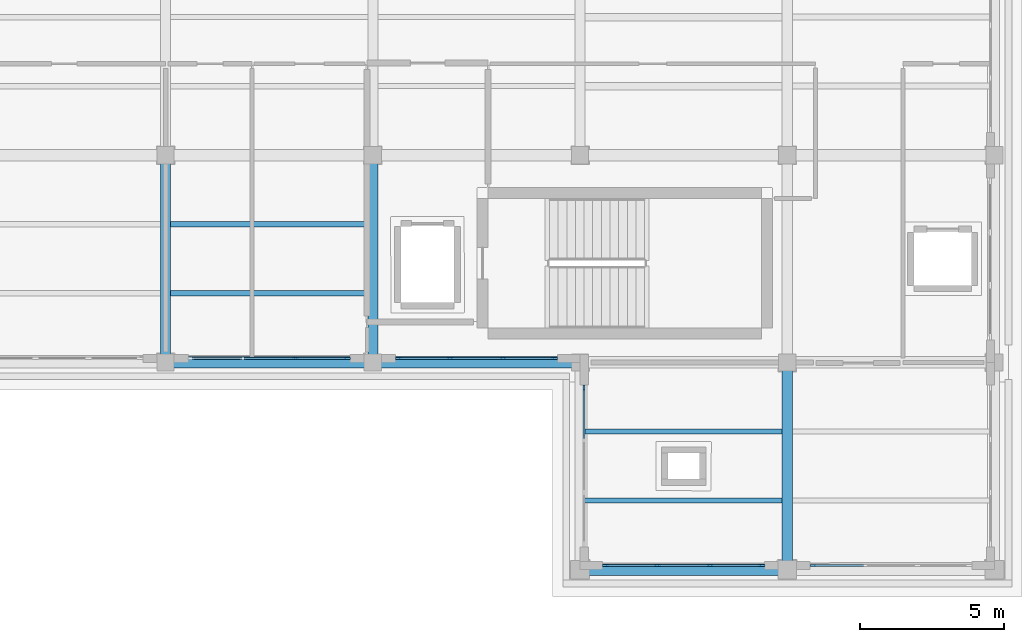
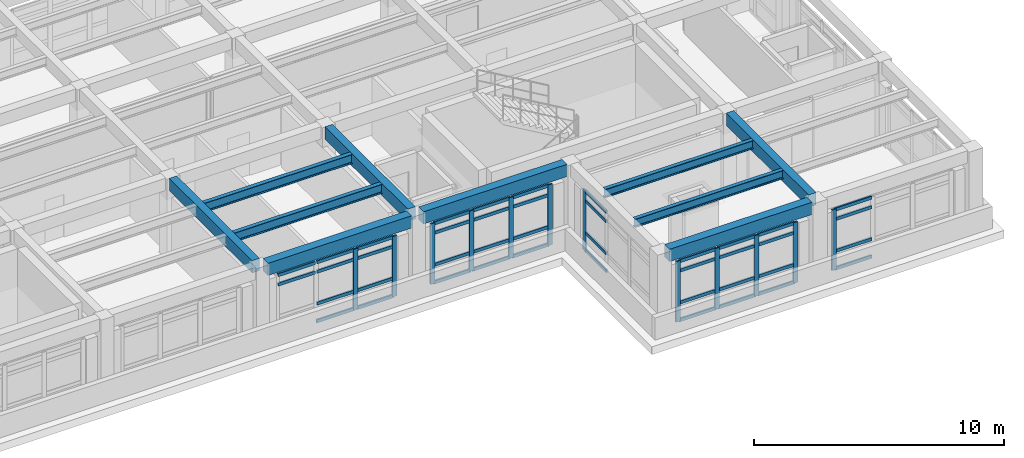
# One storey, part 7 of 19: 54 members, 10 beams, 5 elements without a shape of their own.
"""IFC4 building model written with IfcOpenShell, lengths in metres."""

from ifc_helpers import new_model, si_unit, direction, frame, origin, origin_2d, place, context, subcontext, project, spatial, rectangle, i_section, extrude, material, layer, layer_set, material_profile, profile_set, type_object, element, aggregate, save


model = new_model("IFC4")

# Units and contexts
model_context = context("Model", 3, precision=1e-05, world=origin(), true_north=direction((0.0, 1.0)))
body_context = subcontext(model_context, "Body", "Model", "MODEL_VIEW")
ifc_project = project(units=[si_unit("LENGTHUNIT", "METRE"), si_unit("AREAUNIT", "SQUARE_METRE"), si_unit("VOLUMEUNIT", "CUBIC_METRE"), si_unit("PLANEANGLEUNIT", "RADIAN"), si_unit("MASSUNIT", "GRAM", prefix="KILO")], contexts=[model_context])

# Site, building, storey
site_placement = place(None, origin())
site = spatial("IfcSite", under=ifc_project, at=site_placement, CompositionType="ELEMENT")
building_placement = place(site_placement, origin())
building = spatial("IfcBuilding", under=site, at=building_placement, Name="Solenvale Faculty of Natural Sciences", CompositionType="ELEMENT")
storey_placement = place(building_placement, frame((0.0, 0.0, 27.0)))
storey = spatial("IfcBuildingStorey", under=building, at=storey_placement, Name="L06", CompositionType="ELEMENT", Elevation=27.0)

# Beams
ifc_material_1 = material(Name="Concrete 40 MPa", Category="concrete")
ifc_material_profile_1 = material_profile(ifc_material_1, rectangle(XDim=0.35009765625, YDim=0.60009765625, at=origin_2d()), Name="RC-BM-350x600")
ifc_profile_set_1 = profile_set([ifc_material_profile_1], Name="Concrete 40 MPa")
beam_type_1 = type_object("IfcBeamType", Name="BM-RC-350x600", PredefinedType="BEAM", material=ifc_profile_set_1)
for number, where, z_axis, x_axis, name in (
    (1, (122.39990234375, 93.8798828125, 3.6201171875), (0.0, 1.0, 0.0), (-1.0, 0.0, 0.0), "L06 Y-Girder X122.4 (93.6..100.8)"),
    (2, (129.60009765625, 93.8798828125, 3.6201171875), (0.0, 1.0, 0.0), (-1.0, 0.0, 0.0), "L06 Y-Girder X129.6 (93.6..100.8)"),
):
    element("IfcBeam", number, at=place(storey_placement, frame(where, z_axis=z_axis, x_axis=x_axis)), inside=storey, type_object=beam_type_1, Name=name, PredefinedType="BEAM", context=body_context, shape_type="SweptSolid", body=[
        extrude(rectangle(XDim=0.35009765625, YDim=0.60009765625, at=origin_2d()), origin(), (0.0, 0.0, 1.0), 6.64013671875),
    ])
beam_1_placement = place(storey_placement, frame((144.0, 86.705078125, 3.6201171875), z_axis=(0.0, 1.0, 0.0), x_axis=(-1.0, 0.0, 0.0)))
element("IfcBeam", 3, at=beam_1_placement, inside=storey, type_object=beam_type_1, Name="L06 Y-Girder X144.0 (86.4..93.6)", PredefinedType="BEAM", context=body_context, shape_type="SweptSolid", body=[
    extrude(rectangle(XDim=0.35009765625, YDim=0.60009765625, at=origin_2d()), origin(), (0.0, 0.0, 1.0), 6.614990234375),
])
ifc_material_profile_2 = material_profile(ifc_material_1, rectangle(XDim=0.39990234375, YDim=0.60009765625, at=origin_2d()), Name="RC-BM-400x600")
ifc_profile_set_2 = profile_set([ifc_material_profile_2], Name="Concrete 40 MPa")
beam_type_2 = type_object("IfcBeamType", Name="BM-RC-400x600", PredefinedType="BEAM", material=ifc_profile_set_2)
beam_2_placement = place(storey_placement, frame((137.10498046875, 86.39990234375, 3.6201171875), z_axis=(1.0, 0.0, 0.0), x_axis=(0.0, 1.0, 0.0)))
element("IfcBeam", 4, at=beam_2_placement, inside=storey, type_object=beam_type_2, Name="L06 X-Girder Y86.4 (136.8..144.0)", PredefinedType="BEAM", context=body_context, shape_type="SweptSolid", body=[
    extrude(rectangle(XDim=0.39990234375, YDim=0.60009765625, at=origin_2d()), origin(), (0.0, 0.0, 1.0), 6.590087890625),
])
for number, where, z_axis, x_axis, name in (
    (5, (122.679931640625, 93.60009765625, 3.6201171875), (1.0, 0.0, 0.0), (0.0, 1.0, 0.0), "L06 X-Girder Y93.6 (122.4..129.6)"),
    (6, (129.8798828125, 93.60009765625, 3.6201171875), (1.0, 0.0, 0.0), (0.0, 1.0, 0.0), "L06 X-Girder Y93.6 (129.6..136.8)"),
):
    element("IfcBeam", number, at=place(storey_placement, frame(where, z_axis=z_axis, x_axis=x_axis)), inside=storey, type_object=beam_type_2, Name=name, PredefinedType="BEAM", context=body_context, shape_type="SweptSolid", body=[
        extrude(rectangle(XDim=0.39990234375, YDim=0.60009765625, at=origin_2d()), origin(), (0.0, 0.0, 1.0), 6.64013671875),
    ])
ifc_material_2 = material(Name="Steel S355", Category="steel")
ifc_material_profile_3 = material_profile(ifc_material_2, i_section(OverallWidth=0.180908203125, OverallDepth=0.4169921875, WebThickness=0.010986328125, FlangeThickness=0.018310546875, FilletRadius=0.01611328125, at=origin_2d()), Name="W410x85")
ifc_profile_set_3 = profile_set([ifc_material_profile_3], Name="Steel S355")
beam_type_3 = type_object("IfcBeamType", Name="BM-STL-W410x85", PredefinedType="JOIST", material=ifc_profile_set_3)
for number, where, z_axis, x_axis, name in (
    (7, (136.955078125, 88.800048828125, 3.71142578125), (1.0, 0.0, 0.0), (0.0, 1.0, 0.0), "L06 Composite Floor Joist (20,13).1"),
    (8, (136.955078125, 91.199951171875, 3.71142578125), (1.0, 0.0, 0.0), (0.0, 1.0, 0.0), "L06 Composite Floor Joist (20,13).2"),
):
    element("IfcBeam", number, at=place(storey_placement, frame(where, z_axis=z_axis, x_axis=x_axis)), inside=storey, type_object=beam_type_3, Name=name, PredefinedType="JOIST", context=body_context, shape_type="SweptSolid", body=[
        extrude(i_section(OverallWidth=0.180908203125, OverallDepth=0.4169921875, WebThickness=0.010986328125, FlangeThickness=0.018310546875, FilletRadius=0.01611328125, at=origin_2d()), origin(), (0.0, 0.0, 1.0), 6.889892578125),
    ])
ifc_material_profile_4 = material_profile(ifc_material_2, i_section(OverallWidth=0.19091796875, OverallDepth=0.4599609375, WebThickness=0.010009765625, FlangeThickness=0.01611328125, FilletRadius=0.01806640625, at=origin_2d()), Name="W460x82")
ifc_profile_set_4 = profile_set([ifc_material_profile_4], Name="Steel S355")
beam_type_4 = type_object("IfcBeamType", Name="BM-STL-W460x82", PredefinedType="JOIST", material=ifc_profile_set_4)
for number, where, z_axis, x_axis, name in (
    (9, (122.554931640625, 96.0, 3.68994140625), (1.0, 0.0, 0.0), (0.0, 1.0, 0.0), "L06 Composite Floor Joist (18,14).1"),
    (10, (122.554931640625, 98.39990234375, 3.68994140625), (1.0, 0.0, 0.0), (0.0, 1.0, 0.0), "L06 Composite Floor Joist (18,14).2"),
):
    element("IfcBeam", number, at=place(storey_placement, frame(where, z_axis=z_axis, x_axis=x_axis)), inside=storey, type_object=beam_type_4, Name=name, PredefinedType="JOIST", context=body_context, shape_type="SweptSolid", body=[
        extrude(i_section(OverallWidth=0.19091796875, OverallDepth=0.4599609375, WebThickness=0.010009765625, FlangeThickness=0.01611328125, FilletRadius=0.01806640625, at=origin_2d()), origin(), (0.0, 0.0, 1.0), 6.89013671875),
    ])

# Curtain wall, members
ifc_material_3 = material(Name="Anodised bronze aluminium", Category="aluminium")
ifc_layer = layer(ifc_material_3, 0.179931640625)
ifc_layer_set = layer_set([ifc_layer], Name="Anodised bronze aluminium")
curtain_wall_type = type_object("IfcCurtainWallType", Name="CW-TWR-MOD", PredefinedType="USERDEFINED", material=ifc_layer_set)
curtain_wall_1_placement = place(storey_placement, origin())
curtain_wall_1 = element("IfcCurtainWall", 11, at=curtain_wall_1_placement, inside=storey, type_object=curtain_wall_type, Name="L06 Curtain Wall CW-L06-P1-E4-B7", ObjectType="UNITISED CURTAIN WALL", PredefinedType="USERDEFINED")
ifc_material_profile_5 = material_profile(ifc_material_3, rectangle(XDim=0.074951171875, YDim=0.2099609375, at=origin_2d()), Name="ALU-MUL-75x210")
ifc_profile_set_5 = profile_set([ifc_material_profile_5], Name="Anodised bronze aluminium")
member_type_1 = type_object("IfcMemberType", Name="CWM-ALU-75x210", PredefinedType="MULLION", material=ifc_profile_set_5)
member_1_placement = place(storey_placement, frame((126.916748046875, 93.742431640625, 0.0), z_axis=(0.0, 0.0, 1.0), x_axis=(0.0, 1.0, 0.0)))
member_1 = element("IfcMember", 12, at=member_1_placement, type_object=member_type_1, Name="CW-04 mullion 3", PredefinedType="MULLION", context=body_context, shape_type="SweptSolid", body=[
    extrude(rectangle(XDim=0.074951171875, YDim=0.2099609375, at=origin_2d()), origin(), (0.0, 0.0, 1.0), 2.9599609375),
])
member_2_placement = place(storey_placement, frame((128.71240234375, 93.742431640625, 0.0), z_axis=(0.0, 0.0, 1.0), x_axis=(0.0, 1.0, 0.0)))
member_2 = element("IfcMember", 13, at=member_2_placement, type_object=member_type_1, Name="CW-04 mullion 4", PredefinedType="MULLION", context=body_context, shape_type="SweptSolid", body=[
    extrude(rectangle(XDim=0.074951171875, YDim=0.2099609375, at=origin_2d()), origin(), (0.0, 0.0, 1.0), 2.9599609375),
])

curtain_wall_2_placement = place(storey_placement, origin())
curtain_wall_2 = element("IfcCurtainWall", 14, at=curtain_wall_2_placement, inside=storey, type_object=curtain_wall_type, Name="L06 Curtain Wall CW-L06-P1-E4-B8", ObjectType="UNITISED CURTAIN WALL", PredefinedType="USERDEFINED")
member_3_placement = place(storey_placement, frame((130.487548828125, 93.742431640625, 0.0), z_axis=(0.0, 0.0, 1.0), x_axis=(0.0, 1.0, 0.0)))
member_3 = element("IfcMember", 15, at=member_3_placement, type_object=member_type_1, Name="CW-04 mullion 1", PredefinedType="MULLION", context=body_context, shape_type="SweptSolid", body=[
    extrude(rectangle(XDim=0.074951171875, YDim=0.2099609375, at=origin_2d()), origin(), (0.0, 0.0, 1.0), 2.9599609375),
])
member_4_placement = place(storey_placement, frame((132.283447265625, 93.742431640625, 0.0), z_axis=(0.0, 0.0, 1.0), x_axis=(0.0, 1.0, 0.0)))
member_4 = element("IfcMember", 16, at=member_4_placement, type_object=member_type_1, Name="CW-04 mullion 2", PredefinedType="MULLION", context=body_context, shape_type="SweptSolid", body=[
    extrude(rectangle(XDim=0.074951171875, YDim=0.2099609375, at=origin_2d()), origin(), (0.0, 0.0, 1.0), 2.9599609375),
])
member_5_placement = place(storey_placement, frame((134.11669921875, 93.742431640625, 0.0), z_axis=(0.0, 0.0, 1.0), x_axis=(0.0, 1.0, 0.0)))
member_5 = element("IfcMember", 17, at=member_5_placement, type_object=member_type_1, Name="CW-04 mullion 3", PredefinedType="MULLION", context=body_context, shape_type="SweptSolid", body=[
    extrude(rectangle(XDim=0.074951171875, YDim=0.2099609375, at=origin_2d()), origin(), (0.0, 0.0, 1.0), 2.9599609375),
])
member_6_placement = place(storey_placement, frame((135.91259765625, 93.742431640625, 0.0), z_axis=(0.0, 0.0, 1.0), x_axis=(0.0, 1.0, 0.0)))
member_6 = element("IfcMember", 18, at=member_6_placement, type_object=member_type_1, Name="CW-04 mullion 4", PredefinedType="MULLION", context=body_context, shape_type="SweptSolid", body=[
    extrude(rectangle(XDim=0.074951171875, YDim=0.2099609375, at=origin_2d()), origin(), (0.0, 0.0, 1.0), 2.9599609375),
])

# Curtain wall, member
curtain_wall_3_placement = place(storey_placement, origin())
curtain_wall_3 = element("IfcCurtainWall", 19, at=curtain_wall_3_placement, inside=storey, type_object=curtain_wall_type, Name="L06 Curtain Wall CW-L06-P1-E5-B1", ObjectType="UNITISED CURTAIN WALL", PredefinedType="USERDEFINED")
member_7_placement = place(storey_placement, frame((136.9423828125, 92.71240234375, 0.0), z_axis=(0.0, 0.0, 1.0), x_axis=(1.0, 0.0, 0.0)))
member_7 = element("IfcMember", 20, at=member_7_placement, type_object=member_type_1, Name="CW-04 mullion 1", PredefinedType="MULLION", context=body_context, shape_type="SweptSolid", body=[
    extrude(rectangle(XDim=0.074951171875, YDim=0.2099609375, at=origin_2d()), origin(), (0.0, 0.0, 1.0), 2.9599609375),
])

# Curtain wall, members
curtain_wall_4_placement = place(storey_placement, origin())
curtain_wall_4 = element("IfcCurtainWall", 21, at=curtain_wall_4_placement, inside=storey, type_object=curtain_wall_type, Name="L06 Curtain Wall CW-L06-P1-E6-B1", ObjectType="UNITISED CURTAIN WALL", PredefinedType="USERDEFINED")
member_8_placement = place(storey_placement, frame((137.6875, 86.54248046875, 0.0), z_axis=(0.0, 0.0, 1.0), x_axis=(0.0, 1.0, 0.0)))
member_8 = element("IfcMember", 22, at=member_8_placement, type_object=member_type_1, Name="CW-04 mullion 1", PredefinedType="MULLION", context=body_context, shape_type="SweptSolid", body=[
    extrude(rectangle(XDim=0.074951171875, YDim=0.2099609375, at=origin_2d()), origin(), (0.0, 0.0, 1.0), 2.9599609375),
])
member_9_placement = place(storey_placement, frame((139.4833984375, 86.54248046875, 0.0), z_axis=(0.0, 0.0, 1.0), x_axis=(0.0, 1.0, 0.0)))
member_9 = element("IfcMember", 23, at=member_9_placement, type_object=member_type_1, Name="CW-04 mullion 2", PredefinedType="MULLION", context=body_context, shape_type="SweptSolid", body=[
    extrude(rectangle(XDim=0.074951171875, YDim=0.2099609375, at=origin_2d()), origin(), (0.0, 0.0, 1.0), 2.9599609375),
])
member_10_placement = place(storey_placement, frame((141.316650390625, 86.54248046875, 0.0), z_axis=(0.0, 0.0, 1.0), x_axis=(0.0, 1.0, 0.0)))
member_10 = element("IfcMember", 24, at=member_10_placement, type_object=member_type_1, Name="CW-04 mullion 3", PredefinedType="MULLION", context=body_context, shape_type="SweptSolid", body=[
    extrude(rectangle(XDim=0.074951171875, YDim=0.2099609375, at=origin_2d()), origin(), (0.0, 0.0, 1.0), 2.9599609375),
])
member_11_placement = place(storey_placement, frame((143.112548828125, 86.54248046875, 0.0), z_axis=(0.0, 0.0, 1.0), x_axis=(0.0, 1.0, 0.0)))
member_11 = element("IfcMember", 25, at=member_11_placement, type_object=member_type_1, Name="CW-04 mullion 4", PredefinedType="MULLION", context=body_context, shape_type="SweptSolid", body=[
    extrude(rectangle(XDim=0.074951171875, YDim=0.2099609375, at=origin_2d()), origin(), (0.0, 0.0, 1.0), 2.9599609375),
])

# Curtain wall, member
curtain_wall_5_placement = place(storey_placement, origin())
curtain_wall_5 = element("IfcCurtainWall", 26, at=curtain_wall_5_placement, inside=storey, type_object=curtain_wall_type, Name="L06 Curtain Wall CW-L06-P1-E6-B2", ObjectType="UNITISED CURTAIN WALL", PredefinedType="USERDEFINED")
member_12_placement = place(storey_placement, frame((144.887451171875, 86.54248046875, 0.0), z_axis=(0.0, 0.0, 1.0), x_axis=(0.0, 1.0, 0.0)))
member_12 = element("IfcMember", 27, at=member_12_placement, type_object=member_type_1, Name="CW-04 mullion 1", PredefinedType="MULLION", context=body_context, shape_type="SweptSolid", body=[
    extrude(rectangle(XDim=0.074951171875, YDim=0.2099609375, at=origin_2d()), origin(), (0.0, 0.0, 1.0), 2.9599609375),
])

# Member
ifc_material_profile_6 = material_profile(ifc_material_3, rectangle(XDim=0.074951171875, YDim=0.155029296875, at=origin_2d()), Name="ALU-TRN-75x155")
ifc_profile_set_6 = profile_set([ifc_material_profile_6], Name="Anodised bronze aluminium")
member_type_2 = type_object("IfcMemberType", Name="CWT-ALU-75x155", PredefinedType="USERDEFINED", material=ifc_profile_set_6)
member_13_placement = place(storey_placement, frame((123.324951171875, 93.742431640625, 2.4599609375), z_axis=(1.0, 0.0, 0.0), x_axis=(0.0, 1.0, 0.0)))
member_13 = element("IfcMember", 28, at=member_13_placement, type_object=member_type_2, Name="CW-04 transom 1.3", ObjectType="TRANSOM", PredefinedType="USERDEFINED", context=body_context, shape_type="SweptSolid", body=[
    extrude(rectangle(XDim=0.074951171875, YDim=0.155029296875, at=origin_2d()), origin(), (0.0, 0.0, 1.0), 1.720947265625),
])

member_14_placement = place(storey_placement, frame((123.324951171875, 93.742431640625, 2.922607421875), z_axis=(1.0, 0.0, 0.0), x_axis=(0.0, 1.0, 0.0)))
member_14 = element("IfcMember", 29, at=member_14_placement, type_object=member_type_2, Name="CW-04 transom 1.4", ObjectType="TRANSOM", PredefinedType="USERDEFINED", context=body_context, shape_type="SweptSolid", body=[
    extrude(rectangle(XDim=0.074951171875, YDim=0.155029296875, at=origin_2d()), origin(), (0.0, 0.0, 1.0), 1.720947265625),
])

member_15_placement = place(storey_placement, frame((125.120849609375, 93.742431640625, 0.03759765625), z_axis=(1.0, 0.0, 0.0), x_axis=(0.0, 1.0, 0.0)))
member_15 = element("IfcMember", 30, at=member_15_placement, type_object=member_type_2, Name="CW-04 transom 2.1", ObjectType="TRANSOM", PredefinedType="USERDEFINED", context=body_context, shape_type="SweptSolid", body=[
    extrude(rectangle(XDim=0.074951171875, YDim=0.155029296875, at=origin_2d()), origin(), (0.0, 0.0, 1.0), 1.75830078125),
])

member_16_placement = place(storey_placement, frame((125.120849609375, 93.742431640625, 0.89990234375), z_axis=(1.0, 0.0, 0.0), x_axis=(0.0, 1.0, 0.0)))
member_16 = element("IfcMember", 31, at=member_16_placement, type_object=member_type_2, Name="CW-04 transom 2.2", ObjectType="TRANSOM", PredefinedType="USERDEFINED", context=body_context, shape_type="SweptSolid", body=[
    extrude(rectangle(XDim=0.074951171875, YDim=0.155029296875, at=origin_2d()), origin(), (0.0, 0.0, 1.0), 1.75830078125),
])

member_17_placement = place(storey_placement, frame((125.120849609375, 93.742431640625, 2.4599609375), z_axis=(1.0, 0.0, 0.0), x_axis=(0.0, 1.0, 0.0)))
member_17 = element("IfcMember", 32, at=member_17_placement, type_object=member_type_2, Name="CW-04 transom 2.3", ObjectType="TRANSOM", PredefinedType="USERDEFINED", context=body_context, shape_type="SweptSolid", body=[
    extrude(rectangle(XDim=0.074951171875, YDim=0.155029296875, at=origin_2d()), origin(), (0.0, 0.0, 1.0), 1.75830078125),
])

member_18_placement = place(storey_placement, frame((125.120849609375, 93.742431640625, 2.922607421875), z_axis=(1.0, 0.0, 0.0), x_axis=(0.0, 1.0, 0.0)))
member_18 = element("IfcMember", 33, at=member_18_placement, type_object=member_type_2, Name="CW-04 transom 2.4", ObjectType="TRANSOM", PredefinedType="USERDEFINED", context=body_context, shape_type="SweptSolid", body=[
    extrude(rectangle(XDim=0.074951171875, YDim=0.155029296875, at=origin_2d()), origin(), (0.0, 0.0, 1.0), 1.75830078125),
])

member_19_placement = place(storey_placement, frame((126.9541015625, 93.742431640625, 0.03759765625), z_axis=(1.0, 0.0, 0.0), x_axis=(0.0, 1.0, 0.0)))
member_19 = element("IfcMember", 34, at=member_19_placement, type_object=member_type_2, Name="CW-04 transom 3.1", ObjectType="TRANSOM", PredefinedType="USERDEFINED", context=body_context, shape_type="SweptSolid", body=[
    extrude(rectangle(XDim=0.074951171875, YDim=0.155029296875, at=origin_2d()), origin(), (0.0, 0.0, 1.0), 1.720947265625),
])

member_20_placement = place(storey_placement, frame((126.9541015625, 93.742431640625, 0.89990234375), z_axis=(1.0, 0.0, 0.0), x_axis=(0.0, 1.0, 0.0)))
member_20 = element("IfcMember", 35, at=member_20_placement, type_object=member_type_2, Name="CW-04 transom 3.2", ObjectType="TRANSOM", PredefinedType="USERDEFINED", context=body_context, shape_type="SweptSolid", body=[
    extrude(rectangle(XDim=0.074951171875, YDim=0.155029296875, at=origin_2d()), origin(), (0.0, 0.0, 1.0), 1.720947265625),
])

member_21_placement = place(storey_placement, frame((126.9541015625, 93.742431640625, 2.4599609375), z_axis=(1.0, 0.0, 0.0), x_axis=(0.0, 1.0, 0.0)))
member_21 = element("IfcMember", 36, at=member_21_placement, type_object=member_type_2, Name="CW-04 transom 3.3", ObjectType="TRANSOM", PredefinedType="USERDEFINED", context=body_context, shape_type="SweptSolid", body=[
    extrude(rectangle(XDim=0.074951171875, YDim=0.155029296875, at=origin_2d()), origin(), (0.0, 0.0, 1.0), 1.720947265625),
])

member_22_placement = place(storey_placement, frame((126.9541015625, 93.742431640625, 2.922607421875), z_axis=(1.0, 0.0, 0.0), x_axis=(0.0, 1.0, 0.0)))
member_22 = element("IfcMember", 37, at=member_22_placement, type_object=member_type_2, Name="CW-04 transom 3.4", ObjectType="TRANSOM", PredefinedType="USERDEFINED", context=body_context, shape_type="SweptSolid", body=[
    extrude(rectangle(XDim=0.074951171875, YDim=0.155029296875, at=origin_2d()), origin(), (0.0, 0.0, 1.0), 1.720947265625),
])

aggregate(curtain_wall_1, [member_1, member_2, member_13, member_14, member_15, member_16, member_17, member_18, member_19, member_20, member_21, member_22])

member_23_placement = place(storey_placement, frame((130.52490234375, 93.742431640625, 0.03759765625), z_axis=(1.0, 0.0, 0.0), x_axis=(0.0, 1.0, 0.0)))
member_23 = element("IfcMember", 38, at=member_23_placement, type_object=member_type_2, Name="CW-04 transom 1.1", ObjectType="TRANSOM", PredefinedType="USERDEFINED", context=body_context, shape_type="SweptSolid", body=[
    extrude(rectangle(XDim=0.074951171875, YDim=0.155029296875, at=origin_2d()), origin(), (0.0, 0.0, 1.0), 1.720947265625),
])

member_24_placement = place(storey_placement, frame((130.52490234375, 93.742431640625, 0.89990234375), z_axis=(1.0, 0.0, 0.0), x_axis=(0.0, 1.0, 0.0)))
member_24 = element("IfcMember", 39, at=member_24_placement, type_object=member_type_2, Name="CW-04 transom 1.2", ObjectType="TRANSOM", PredefinedType="USERDEFINED", context=body_context, shape_type="SweptSolid", body=[
    extrude(rectangle(XDim=0.074951171875, YDim=0.155029296875, at=origin_2d()), origin(), (0.0, 0.0, 1.0), 1.720947265625),
])

member_25_placement = place(storey_placement, frame((130.52490234375, 93.742431640625, 2.4599609375), z_axis=(1.0, 0.0, 0.0), x_axis=(0.0, 1.0, 0.0)))
member_25 = element("IfcMember", 40, at=member_25_placement, type_object=member_type_2, Name="CW-04 transom 1.3", ObjectType="TRANSOM", PredefinedType="USERDEFINED", context=body_context, shape_type="SweptSolid", body=[
    extrude(rectangle(XDim=0.074951171875, YDim=0.155029296875, at=origin_2d()), origin(), (0.0, 0.0, 1.0), 1.720947265625),
])

member_26_placement = place(storey_placement, frame((130.52490234375, 93.742431640625, 2.922607421875), z_axis=(1.0, 0.0, 0.0), x_axis=(0.0, 1.0, 0.0)))
member_26 = element("IfcMember", 41, at=member_26_placement, type_object=member_type_2, Name="CW-04 transom 1.4", ObjectType="TRANSOM", PredefinedType="USERDEFINED", context=body_context, shape_type="SweptSolid", body=[
    extrude(rectangle(XDim=0.074951171875, YDim=0.155029296875, at=origin_2d()), origin(), (0.0, 0.0, 1.0), 1.720947265625),
])

member_27_placement = place(storey_placement, frame((132.32080078125, 93.742431640625, 0.03759765625), z_axis=(1.0, 0.0, 0.0), x_axis=(0.0, 1.0, 0.0)))
member_27 = element("IfcMember", 42, at=member_27_placement, type_object=member_type_2, Name="CW-04 transom 2.1", ObjectType="TRANSOM", PredefinedType="USERDEFINED", context=body_context, shape_type="SweptSolid", body=[
    extrude(rectangle(XDim=0.074951171875, YDim=0.155029296875, at=origin_2d()), origin(), (0.0, 0.0, 1.0), 1.75830078125),
])

member_28_placement = place(storey_placement, frame((132.32080078125, 93.742431640625, 0.89990234375), z_axis=(1.0, 0.0, 0.0), x_axis=(0.0, 1.0, 0.0)))
member_28 = element("IfcMember", 43, at=member_28_placement, type_object=member_type_2, Name="CW-04 transom 2.2", ObjectType="TRANSOM", PredefinedType="USERDEFINED", context=body_context, shape_type="SweptSolid", body=[
    extrude(rectangle(XDim=0.074951171875, YDim=0.155029296875, at=origin_2d()), origin(), (0.0, 0.0, 1.0), 1.75830078125),
])

member_29_placement = place(storey_placement, frame((132.32080078125, 93.742431640625, 2.4599609375), z_axis=(1.0, 0.0, 0.0), x_axis=(0.0, 1.0, 0.0)))
member_29 = element("IfcMember", 44, at=member_29_placement, type_object=member_type_2, Name="CW-04 transom 2.3", ObjectType="TRANSOM", PredefinedType="USERDEFINED", context=body_context, shape_type="SweptSolid", body=[
    extrude(rectangle(XDim=0.074951171875, YDim=0.155029296875, at=origin_2d()), origin(), (0.0, 0.0, 1.0), 1.75830078125),
])

member_30_placement = place(storey_placement, frame((132.32080078125, 93.742431640625, 2.922607421875), z_axis=(1.0, 0.0, 0.0), x_axis=(0.0, 1.0, 0.0)))
member_30 = element("IfcMember", 45, at=member_30_placement, type_object=member_type_2, Name="CW-04 transom 2.4", ObjectType="TRANSOM", PredefinedType="USERDEFINED", context=body_context, shape_type="SweptSolid", body=[
    extrude(rectangle(XDim=0.074951171875, YDim=0.155029296875, at=origin_2d()), origin(), (0.0, 0.0, 1.0), 1.75830078125),
])

member_31_placement = place(storey_placement, frame((134.154052734375, 93.742431640625, 0.03759765625), z_axis=(1.0, 0.0, 0.0), x_axis=(0.0, 1.0, 0.0)))
member_31 = element("IfcMember", 46, at=member_31_placement, type_object=member_type_2, Name="CW-04 transom 3.1", ObjectType="TRANSOM", PredefinedType="USERDEFINED", context=body_context, shape_type="SweptSolid", body=[
    extrude(rectangle(XDim=0.074951171875, YDim=0.155029296875, at=origin_2d()), origin(), (0.0, 0.0, 1.0), 1.720947265625),
])

member_32_placement = place(storey_placement, frame((134.154052734375, 93.742431640625, 0.89990234375), z_axis=(1.0, 0.0, 0.0), x_axis=(0.0, 1.0, 0.0)))
member_32 = element("IfcMember", 47, at=member_32_placement, type_object=member_type_2, Name="CW-04 transom 3.2", ObjectType="TRANSOM", PredefinedType="USERDEFINED", context=body_context, shape_type="SweptSolid", body=[
    extrude(rectangle(XDim=0.074951171875, YDim=0.155029296875, at=origin_2d()), origin(), (0.0, 0.0, 1.0), 1.720947265625),
])

member_33_placement = place(storey_placement, frame((134.154052734375, 93.742431640625, 2.4599609375), z_axis=(1.0, 0.0, 0.0), x_axis=(0.0, 1.0, 0.0)))
member_33 = element("IfcMember", 48, at=member_33_placement, type_object=member_type_2, Name="CW-04 transom 3.3", ObjectType="TRANSOM", PredefinedType="USERDEFINED", context=body_context, shape_type="SweptSolid", body=[
    extrude(rectangle(XDim=0.074951171875, YDim=0.155029296875, at=origin_2d()), origin(), (0.0, 0.0, 1.0), 1.720947265625),
])

member_34_placement = place(storey_placement, frame((134.154052734375, 93.742431640625, 2.922607421875), z_axis=(1.0, 0.0, 0.0), x_axis=(0.0, 1.0, 0.0)))
member_34 = element("IfcMember", 49, at=member_34_placement, type_object=member_type_2, Name="CW-04 transom 3.4", ObjectType="TRANSOM", PredefinedType="USERDEFINED", context=body_context, shape_type="SweptSolid", body=[
    extrude(rectangle(XDim=0.074951171875, YDim=0.155029296875, at=origin_2d()), origin(), (0.0, 0.0, 1.0), 1.720947265625),
])

aggregate(curtain_wall_2, [member_3, member_4, member_5, member_6, member_23, member_24, member_25, member_26, member_27, member_28, member_29, member_30, member_31, member_32, member_33, member_34])

member_35_placement = place(storey_placement, frame((136.9423828125, 92.675048828125, 0.03759765625), z_axis=(0.0, -1.0, 0.0), x_axis=(1.0, 0.0, 0.0)))
member_35 = element("IfcMember", 50, at=member_35_placement, type_object=member_type_2, Name="CW-04 transom 1.1", ObjectType="TRANSOM", PredefinedType="USERDEFINED", context=body_context, shape_type="SweptSolid", body=[
    extrude(rectangle(XDim=0.074951171875, YDim=0.155029296875, at=origin_2d()), origin(), (0.0, 0.0, 1.0), 1.720947265625),
])

member_36_placement = place(storey_placement, frame((136.9423828125, 92.675048828125, 0.89990234375), z_axis=(0.0, -1.0, 0.0), x_axis=(1.0, 0.0, 0.0)))
member_36 = element("IfcMember", 51, at=member_36_placement, type_object=member_type_2, Name="CW-04 transom 1.2", ObjectType="TRANSOM", PredefinedType="USERDEFINED", context=body_context, shape_type="SweptSolid", body=[
    extrude(rectangle(XDim=0.074951171875, YDim=0.155029296875, at=origin_2d()), origin(), (0.0, 0.0, 1.0), 1.720947265625),
])

member_37_placement = place(storey_placement, frame((136.9423828125, 92.675048828125, 2.4599609375), z_axis=(0.0, -1.0, 0.0), x_axis=(1.0, 0.0, 0.0)))
member_37 = element("IfcMember", 52, at=member_37_placement, type_object=member_type_2, Name="CW-04 transom 1.3", ObjectType="TRANSOM", PredefinedType="USERDEFINED", context=body_context, shape_type="SweptSolid", body=[
    extrude(rectangle(XDim=0.074951171875, YDim=0.155029296875, at=origin_2d()), origin(), (0.0, 0.0, 1.0), 1.720947265625),
])

member_38_placement = place(storey_placement, frame((136.9423828125, 92.675048828125, 2.922607421875), z_axis=(0.0, -1.0, 0.0), x_axis=(1.0, 0.0, 0.0)))
member_38 = element("IfcMember", 53, at=member_38_placement, type_object=member_type_2, Name="CW-04 transom 1.4", ObjectType="TRANSOM", PredefinedType="USERDEFINED", context=body_context, shape_type="SweptSolid", body=[
    extrude(rectangle(XDim=0.074951171875, YDim=0.155029296875, at=origin_2d()), origin(), (0.0, 0.0, 1.0), 1.720947265625),
])

aggregate(curtain_wall_3, [member_7, member_35, member_36, member_37, member_38])

member_39_placement = place(storey_placement, frame((137.72509765625, 86.54248046875, 0.03759765625), z_axis=(1.0, 0.0, 0.0), x_axis=(0.0, 1.0, 0.0)))
member_39 = element("IfcMember", 54, at=member_39_placement, type_object=member_type_2, Name="CW-04 transom 1.1", ObjectType="TRANSOM", PredefinedType="USERDEFINED", context=body_context, shape_type="SweptSolid", body=[
    extrude(rectangle(XDim=0.074951171875, YDim=0.155029296875, at=origin_2d()), origin(), (0.0, 0.0, 1.0), 1.720703125),
])

member_40_placement = place(storey_placement, frame((137.72509765625, 86.54248046875, 0.89990234375), z_axis=(1.0, 0.0, 0.0), x_axis=(0.0, 1.0, 0.0)))
member_40 = element("IfcMember", 55, at=member_40_placement, type_object=member_type_2, Name="CW-04 transom 1.2", ObjectType="TRANSOM", PredefinedType="USERDEFINED", context=body_context, shape_type="SweptSolid", body=[
    extrude(rectangle(XDim=0.074951171875, YDim=0.155029296875, at=origin_2d()), origin(), (0.0, 0.0, 1.0), 1.720703125),
])

member_41_placement = place(storey_placement, frame((137.72509765625, 86.54248046875, 2.4599609375), z_axis=(1.0, 0.0, 0.0), x_axis=(0.0, 1.0, 0.0)))
member_41 = element("IfcMember", 56, at=member_41_placement, type_object=member_type_2, Name="CW-04 transom 1.3", ObjectType="TRANSOM", PredefinedType="USERDEFINED", context=body_context, shape_type="SweptSolid", body=[
    extrude(rectangle(XDim=0.074951171875, YDim=0.155029296875, at=origin_2d()), origin(), (0.0, 0.0, 1.0), 1.720703125),
])

member_42_placement = place(storey_placement, frame((137.72509765625, 86.54248046875, 2.922607421875), z_axis=(1.0, 0.0, 0.0), x_axis=(0.0, 1.0, 0.0)))
member_42 = element("IfcMember", 57, at=member_42_placement, type_object=member_type_2, Name="CW-04 transom 1.4", ObjectType="TRANSOM", PredefinedType="USERDEFINED", context=body_context, shape_type="SweptSolid", body=[
    extrude(rectangle(XDim=0.074951171875, YDim=0.155029296875, at=origin_2d()), origin(), (0.0, 0.0, 1.0), 1.720703125),
])

member_43_placement = place(storey_placement, frame((139.520751953125, 86.54248046875, 0.03759765625), z_axis=(1.0, 0.0, 0.0), x_axis=(0.0, 1.0, 0.0)))
member_43 = element("IfcMember", 58, at=member_43_placement, type_object=member_type_2, Name="CW-04 transom 2.1", ObjectType="TRANSOM", PredefinedType="USERDEFINED", context=body_context, shape_type="SweptSolid", body=[
    extrude(rectangle(XDim=0.074951171875, YDim=0.155029296875, at=origin_2d()), origin(), (0.0, 0.0, 1.0), 1.75830078125),
])

member_44_placement = place(storey_placement, frame((139.520751953125, 86.54248046875, 0.89990234375), z_axis=(1.0, 0.0, 0.0), x_axis=(0.0, 1.0, 0.0)))
member_44 = element("IfcMember", 59, at=member_44_placement, type_object=member_type_2, Name="CW-04 transom 2.2", ObjectType="TRANSOM", PredefinedType="USERDEFINED", context=body_context, shape_type="SweptSolid", body=[
    extrude(rectangle(XDim=0.074951171875, YDim=0.155029296875, at=origin_2d()), origin(), (0.0, 0.0, 1.0), 1.75830078125),
])

member_45_placement = place(storey_placement, frame((139.520751953125, 86.54248046875, 2.4599609375), z_axis=(1.0, 0.0, 0.0), x_axis=(0.0, 1.0, 0.0)))
member_45 = element("IfcMember", 60, at=member_45_placement, type_object=member_type_2, Name="CW-04 transom 2.3", ObjectType="TRANSOM", PredefinedType="USERDEFINED", context=body_context, shape_type="SweptSolid", body=[
    extrude(rectangle(XDim=0.074951171875, YDim=0.155029296875, at=origin_2d()), origin(), (0.0, 0.0, 1.0), 1.75830078125),
])

member_46_placement = place(storey_placement, frame((139.520751953125, 86.54248046875, 2.922607421875), z_axis=(1.0, 0.0, 0.0), x_axis=(0.0, 1.0, 0.0)))
member_46 = element("IfcMember", 61, at=member_46_placement, type_object=member_type_2, Name="CW-04 transom 2.4", ObjectType="TRANSOM", PredefinedType="USERDEFINED", context=body_context, shape_type="SweptSolid", body=[
    extrude(rectangle(XDim=0.074951171875, YDim=0.155029296875, at=origin_2d()), origin(), (0.0, 0.0, 1.0), 1.75830078125),
])

member_47_placement = place(storey_placement, frame((141.354248046875, 86.54248046875, 0.03759765625), z_axis=(1.0, 0.0, 0.0), x_axis=(0.0, 1.0, 0.0)))
member_47 = element("IfcMember", 62, at=member_47_placement, type_object=member_type_2, Name="CW-04 transom 3.1", ObjectType="TRANSOM", PredefinedType="USERDEFINED", context=body_context, shape_type="SweptSolid", body=[
    extrude(rectangle(XDim=0.074951171875, YDim=0.155029296875, at=origin_2d()), origin(), (0.0, 0.0, 1.0), 1.720703125),
])

member_48_placement = place(storey_placement, frame((141.354248046875, 86.54248046875, 0.89990234375), z_axis=(1.0, 0.0, 0.0), x_axis=(0.0, 1.0, 0.0)))
member_48 = element("IfcMember", 63, at=member_48_placement, type_object=member_type_2, Name="CW-04 transom 3.2", ObjectType="TRANSOM", PredefinedType="USERDEFINED", context=body_context, shape_type="SweptSolid", body=[
    extrude(rectangle(XDim=0.074951171875, YDim=0.155029296875, at=origin_2d()), origin(), (0.0, 0.0, 1.0), 1.720703125),
])

member_49_placement = place(storey_placement, frame((141.354248046875, 86.54248046875, 2.4599609375), z_axis=(1.0, 0.0, 0.0), x_axis=(0.0, 1.0, 0.0)))
member_49 = element("IfcMember", 64, at=member_49_placement, type_object=member_type_2, Name="CW-04 transom 3.3", ObjectType="TRANSOM", PredefinedType="USERDEFINED", context=body_context, shape_type="SweptSolid", body=[
    extrude(rectangle(XDim=0.074951171875, YDim=0.155029296875, at=origin_2d()), origin(), (0.0, 0.0, 1.0), 1.720703125),
])

member_50_placement = place(storey_placement, frame((141.354248046875, 86.54248046875, 2.922607421875), z_axis=(1.0, 0.0, 0.0), x_axis=(0.0, 1.0, 0.0)))
member_50 = element("IfcMember", 65, at=member_50_placement, type_object=member_type_2, Name="CW-04 transom 3.4", ObjectType="TRANSOM", PredefinedType="USERDEFINED", context=body_context, shape_type="SweptSolid", body=[
    extrude(rectangle(XDim=0.074951171875, YDim=0.155029296875, at=origin_2d()), origin(), (0.0, 0.0, 1.0), 1.720703125),
])

aggregate(curtain_wall_4, [member_8, member_9, member_10, member_11, member_39, member_40, member_41, member_42, member_43, member_44, member_45, member_46, member_47, member_48, member_49, member_50])

member_51_placement = place(storey_placement, frame((144.925048828125, 86.54248046875, 0.03759765625), z_axis=(1.0, 0.0, 0.0), x_axis=(0.0, 1.0, 0.0)))
member_51 = element("IfcMember", 66, at=member_51_placement, type_object=member_type_2, Name="CW-04 transom 1.1", ObjectType="TRANSOM", PredefinedType="USERDEFINED", context=body_context, shape_type="SweptSolid", body=[
    extrude(rectangle(XDim=0.074951171875, YDim=0.155029296875, at=origin_2d()), origin(), (0.0, 0.0, 1.0), 1.720703125),
])

member_52_placement = place(storey_placement, frame((144.925048828125, 86.54248046875, 0.89990234375), z_axis=(1.0, 0.0, 0.0), x_axis=(0.0, 1.0, 0.0)))
member_52 = element("IfcMember", 67, at=member_52_placement, type_object=member_type_2, Name="CW-04 transom 1.2", ObjectType="TRANSOM", PredefinedType="USERDEFINED", context=body_context, shape_type="SweptSolid", body=[
    extrude(rectangle(XDim=0.074951171875, YDim=0.155029296875, at=origin_2d()), origin(), (0.0, 0.0, 1.0), 1.720703125),
])

member_53_placement = place(storey_placement, frame((144.925048828125, 86.54248046875, 2.4599609375), z_axis=(1.0, 0.0, 0.0), x_axis=(0.0, 1.0, 0.0)))
member_53 = element("IfcMember", 68, at=member_53_placement, type_object=member_type_2, Name="CW-04 transom 1.3", ObjectType="TRANSOM", PredefinedType="USERDEFINED", context=body_context, shape_type="SweptSolid", body=[
    extrude(rectangle(XDim=0.074951171875, YDim=0.155029296875, at=origin_2d()), origin(), (0.0, 0.0, 1.0), 1.720703125),
])

member_54_placement = place(storey_placement, frame((144.925048828125, 86.54248046875, 2.922607421875), z_axis=(1.0, 0.0, 0.0), x_axis=(0.0, 1.0, 0.0)))
member_54 = element("IfcMember", 69, at=member_54_placement, type_object=member_type_2, Name="CW-04 transom 1.4", ObjectType="TRANSOM", PredefinedType="USERDEFINED", context=body_context, shape_type="SweptSolid", body=[
    extrude(rectangle(XDim=0.074951171875, YDim=0.155029296875, at=origin_2d()), origin(), (0.0, 0.0, 1.0), 1.720703125),
])

aggregate(curtain_wall_5, [member_12, member_51, member_52, member_53, member_54])

save(model, "model.ifc")
